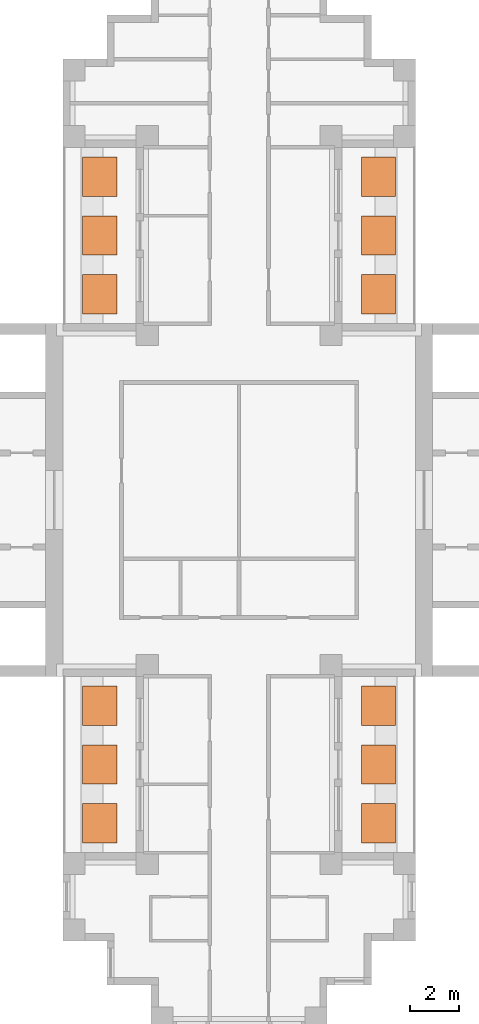
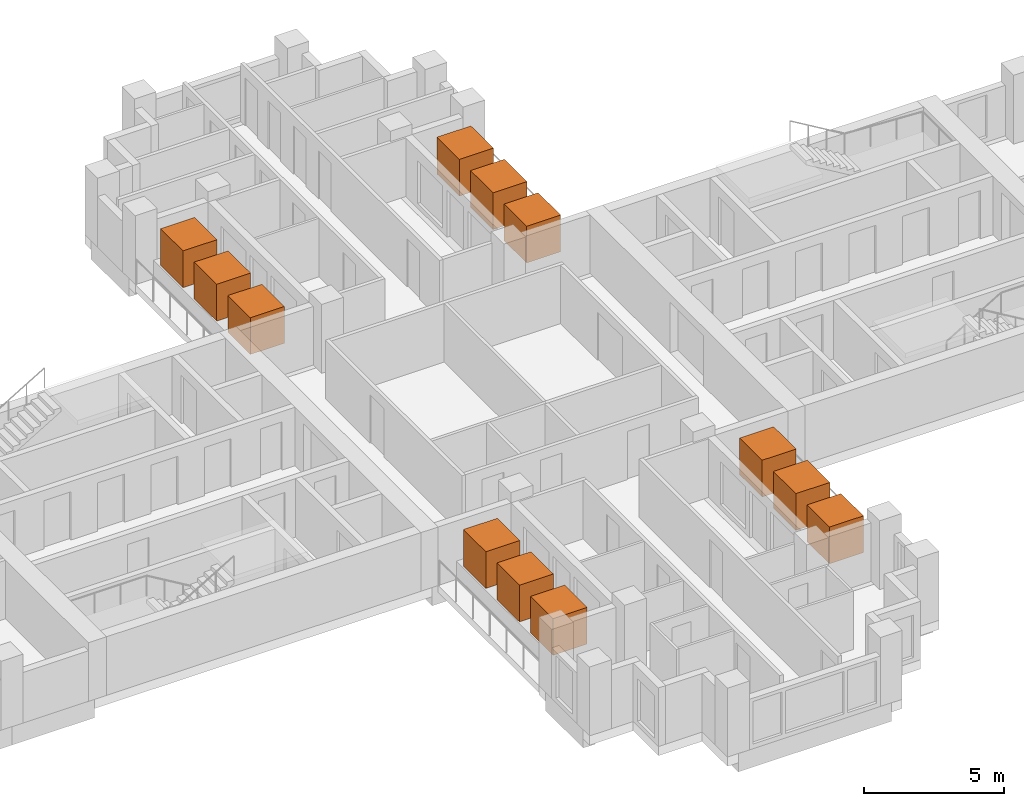
# One storey, part 12 of 12: 12 geographic elements.
"""IFC4 building model written with IfcOpenShell, lengths in metres."""

from ifc_helpers import new_model, si_unit, direction, frame, origin, origin_2d, place, context, subcontext, project, spatial, rectangle, extrude, material, element, save


model = new_model("IFC4")

# Units and contexts
model_context = context("Model", 3, precision=1e-05, world=origin(), true_north=direction((0.0, 1.0)))
body_context = subcontext(model_context, "Body", "Model", "MODEL_VIEW")
ifc_project = project(units=[si_unit("LENGTHUNIT", "METRE"), si_unit("AREAUNIT", "SQUARE_METRE"), si_unit("VOLUMEUNIT", "CUBIC_METRE"), si_unit("PLANEANGLEUNIT", "RADIAN"), si_unit("MASSUNIT", "GRAM", prefix="KILO")], contexts=[model_context])

# Site, building, storey
site_placement = place(None, origin())
site = spatial("IfcSite", under=ifc_project, at=site_placement, CompositionType="ELEMENT")
building_placement = place(site_placement, origin())
building = spatial("IfcBuilding", under=site, at=building_placement, Name="Fustian Cross Tower", CompositionType="ELEMENT")
storey_placement = place(building_placement, frame((0.0, 0.0, 159.300048828125)))
storey = spatial("IfcBuildingStorey", under=building, at=storey_placement, Name="L50", CompositionType="ELEMENT", Elevation=159.300048828125)

# Geographic elements
ifc_material = material(Name="Evergreen foliage")
for number, where, z_axis, x_axis, name in (
    (1, (5.68994140625, 8.39990234375, 0.7998046875), (0.0, 0.0, 1.0), (1.0, 0.0, 0.0), "TREE field maple"),
    (2, (5.68994140625, 10.800048828125, 0.7998046875), (0.0, 0.0, 1.0), (1.0, 0.0, 0.0), "TREE field maple"),
    (3, (5.68994140625, 13.199951171875, 0.7998046875), (0.0, 0.0, 1.0), (1.0, 0.0, 0.0), "TREE field maple"),
    (4, (-5.68994140625, 8.39990234375, 0.7998046875), (0.0, 0.0, 1.0), (1.0, 0.0, 0.0), "TREE field maple"),
    (5, (-5.68994140625, 10.800048828125, 0.7998046875), (0.0, 0.0, 1.0), (1.0, 0.0, 0.0), "TREE field maple"),
    (6, (-5.68994140625, 13.199951171875, 0.7998046875), (0.0, 0.0, 1.0), (1.0, 0.0, 0.0), "TREE field maple"),
    (7, (5.68994140625, -13.199951171875, 0.7998046875), (0.0, 0.0, 1.0), (1.0, 0.0, 0.0), "TREE field maple"),
    (8, (5.68994140625, -10.800048828125, 0.7998046875), (0.0, 0.0, 1.0), (1.0, 0.0, 0.0), "TREE field maple"),
    (9, (5.68994140625, -8.39990234375, 0.7998046875), (0.0, 0.0, 1.0), (1.0, 0.0, 0.0), "TREE field maple"),
    (10, (-5.68994140625, -13.199951171875, 0.7998046875), (0.0, 0.0, 1.0), (1.0, 0.0, 0.0), "TREE field maple"),
    (11, (-5.68994140625, -10.800048828125, 0.7998046875), (0.0, 0.0, 1.0), (1.0, 0.0, 0.0), "TREE field maple"),
    (12, (-5.68994140625, -8.39990234375, 0.7998046875), (0.0, 0.0, 1.0), (1.0, 0.0, 0.0), "TREE field maple"),
):
    element("IfcGeographicElement", number, at=place(storey_placement, frame(where, z_axis=z_axis, x_axis=x_axis)), inside=storey, material=ifc_material, Name=name, ObjectType="VEGETATION", PredefinedType="USERDEFINED", context=body_context, shape_type="SweptSolid", body=[
        extrude(rectangle(XDim=1.39990234375, YDim=1.60009765625, at=origin_2d()), origin(), (0.0, 0.0, 1.0), 1.60009765625),
    ])

save(model, "model.ifc")
